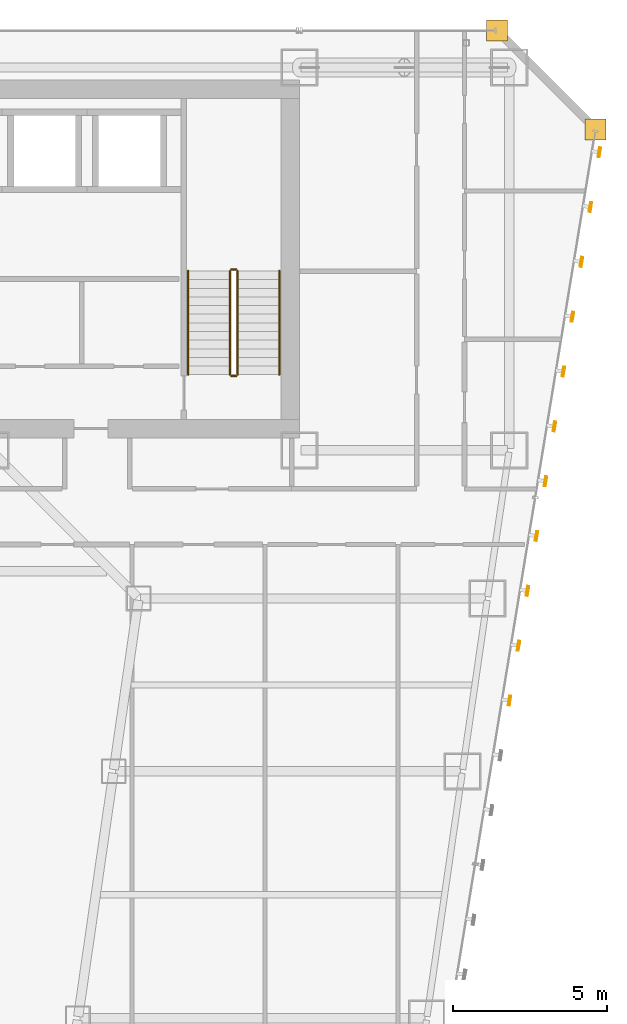
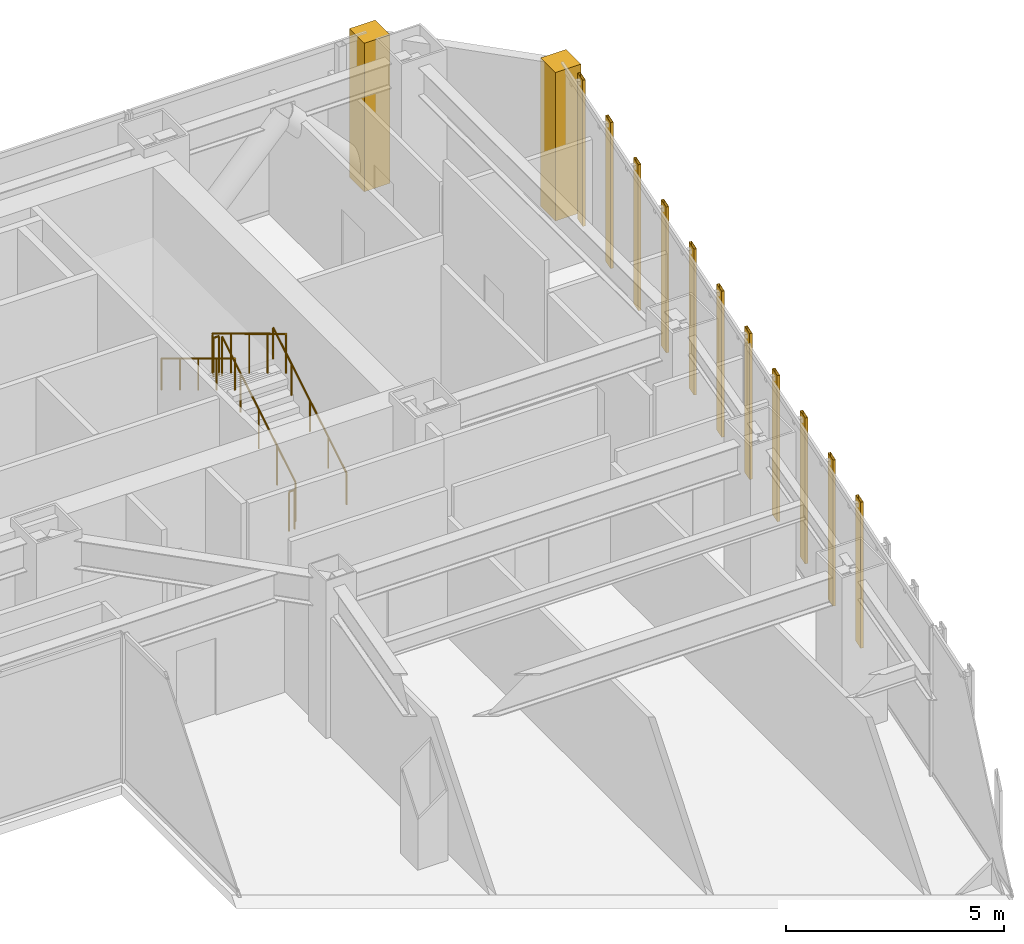
# One storey, part 47 of 47: 11 shading devices, 6 railings, 2 coverings.
"""IFC4 building model written with IfcOpenShell, lengths in metres."""

from ifc_helpers import new_model, si_unit, direction, frame, origin, origin_2d, place, context, subcontext, project, spatial, polyline, hollow_rectangle, circle, outline, extrude, material, layer, layer_set, material_profile, profile_set, type_object, element, save


model = new_model("IFC4")

# Units and contexts
model_context = context("Model", 3, precision=1e-05, world=origin(), true_north=direction((0.0, 1.0)))
body_context = subcontext(model_context, "Body", "Model", "MODEL_VIEW")
ifc_project = project(units=[si_unit("LENGTHUNIT", "METRE"), si_unit("AREAUNIT", "SQUARE_METRE"), si_unit("VOLUMEUNIT", "CUBIC_METRE"), si_unit("PLANEANGLEUNIT", "RADIAN"), si_unit("MASSUNIT", "GRAM", prefix="KILO")], contexts=[model_context])

# Site, building, storey
site_placement = place(None, origin())
site = spatial("IfcSite", under=ifc_project, at=site_placement, CompositionType="ELEMENT")
building_placement = place(site_placement, origin())
building = spatial("IfcBuilding", under=site, at=building_placement, Name="Saevonmaru Cultural Tower", CompositionType="ELEMENT")
storey_placement = place(building_placement, frame((0.0, 0.0, 60.39990234375)))
storey = spatial("IfcBuildingStorey", under=building, at=storey_placement, Name="L12", CompositionType="ELEMENT", Elevation=60.39990234375)

# Coverings
ifc_material_1 = material(Name="Satin Bronze Anodised Aluminium", Category="aluminium")
ifc_layer = layer(ifc_material_1, 0.679931640625, Name="Satin Bronze Anodised Aluminium")
ifc_layer_set = layer_set([ifc_layer], Name="Satin Bronze Anodised Aluminium")
covering_type = type_object("IfcCoveringType", Name="CV-CORNER-CLAD", PredefinedType="CLADDING", material=ifc_layer_set)
covering_1_placement = place(storey_placement, origin())
element("IfcCovering", 1, at=covering_1_placement, inside=storey, type_object=covering_type, Name="L12 Tower Bronze Corner Cladding Pier 9", PredefinedType="CLADDING", context=body_context, shape_type="SweptSolid", body=[
    extrude(outline(polyline([(55.659912109375, 52.4599609375), (56.340087890625, 52.4599609375), (56.340087890625, 53.139892578125), (55.659912109375, 53.139892578125), (55.659912109375, 52.4599609375)])), origin(), (0.0, 0.0, 1.0), 4.150146484375),
])
covering_2_placement = place(storey_placement, origin())
element("IfcCovering", 2, at=covering_2_placement, inside=storey, type_object=covering_type, Name="L12 Tower Bronze Corner Cladding Pier 10", PredefinedType="CLADDING", context=body_context, shape_type="SweptSolid", body=[
    extrude(outline(polyline([(52.4599609375, 55.659912109375), (53.139892578125, 55.659912109375), (53.139892578125, 56.340087890625), (52.4599609375, 56.340087890625), (52.4599609375, 55.659912109375)])), origin(), (0.0, 0.0, 1.0), 4.150146484375),
])

# Railings
ifc_material_2 = material(Name="Architectural Painted Steel", Category="steel")
railing_type_1 = type_object("IfcRailingType", Name="RL-STAIR-GUARD", PredefinedType="GUARDRAIL", material=ifc_material_2)
railing_1_placement = place(storey_placement, frame((44.39990234375, 44.85009765625, 0.16943359375)))
element("IfcRailing", 3, at=railing_1_placement, inside=storey, type_object=railing_type_1, Name="L12 ST-2 stair guard 1", PredefinedType="GUARDRAIL", context=body_context, shape_type="SweptSolid", body=[
    extrude(circle(Radius=0.02392578125, at=origin_2d()), frame((0.0, 0.0, 1.09619140625), z_axis=(0.0, 0.855820338506, 0.51727318527), x_axis=(-1.0, 0.0, 0.0)), (0.0, 0.0, 1.0), 3.92578125),
    extrude(circle(Radius=0.02099609375, at=origin_2d()), origin(), (0.0, 0.0, 1.0), 1.072021484375),
    extrude(circle(Radius=0.02099609375, at=origin_2d()), frame((0.0, 0.83984375, 0.5078125)), (0.0, 0.0, 1.0), 1.072021484375),
    extrude(circle(Radius=0.02099609375, at=origin_2d()), frame((0.0, 1.679931640625, 1.015380859375)), (0.0, 0.0, 1.0), 1.072021484375),
    extrude(circle(Radius=0.02099609375, at=origin_2d()), frame((0.0, 2.52001953125, 1.52294921875)), (0.0, 0.0, 1.0), 1.072021484375),
    extrude(circle(Radius=0.02099609375, at=origin_2d()), frame((0.0, 3.35986328125, 2.03076171875)), (0.0, 0.0, 1.0), 1.072021484375),
])
railing_2_placement = place(storey_placement, frame((44.35009765625, 48.260009765625, 2.2001953125)))
element("IfcRailing", 4, at=railing_2_placement, inside=storey, type_object=railing_type_1, Name="L12 ST-2 stair guard 2", PredefinedType="GUARDRAIL", context=body_context, shape_type="SweptSolid", body=[
    extrude(circle(Radius=0.02392578125, at=origin_2d()), frame((0.0, 0.0, 1.09619140625), z_axis=(-1.0, 0.0, 0.0), x_axis=(0.0, -1.0, 0.0)), (0.0, 0.0, 1.0), 0.150146484375),
    extrude(circle(Radius=0.02099609375, at=origin_2d()), origin(), (0.0, 0.0, 1.0), 1.072021484375),
    extrude(circle(Radius=0.02099609375, at=origin_2d()), frame((-0.150146484375, 0.0, 0.0)), (0.0, 0.0, 1.0), 1.072021484375),
])
railing_3_placement = place(storey_placement, frame((44.14990234375, 48.2099609375, 2.369384765625)))
element("IfcRailing", 5, at=railing_3_placement, inside=storey, type_object=railing_type_1, Name="L12 ST-2 stair guard 3", PredefinedType="GUARDRAIL", context=body_context, shape_type="SweptSolid", body=[
    extrude(circle(Radius=0.02392578125, at=origin_2d()), frame((0.0, 0.0, 1.09619140625), z_axis=(0.0, -0.855820338506, 0.51727318527), x_axis=(1.0, 0.0, 0.0)), (0.0, 0.0, 1.0), 3.92578125),
    extrude(circle(Radius=0.02099609375, at=origin_2d()), origin(), (0.0, 0.0, 1.0), 1.072021484375),
    extrude(circle(Radius=0.02099609375, at=origin_2d()), frame((0.0, -0.83984375, 0.5078125)), (0.0, 0.0, 1.0), 1.072021484375),
    extrude(circle(Radius=0.02099609375, at=origin_2d()), frame((0.0, -1.679931640625, 1.015380859375)), (0.0, 0.0, 1.0), 1.072021484375),
    extrude(circle(Radius=0.02099609375, at=origin_2d()), frame((0.0, -2.52001953125, 1.52294921875)), (0.0, 0.0, 1.0), 1.072021484375),
    extrude(circle(Radius=0.02099609375, at=origin_2d()), frame((0.0, -3.35986328125, 2.03076171875)), (0.0, 0.0, 1.0), 1.072021484375),
])
railing_4_placement = place(storey_placement, frame((44.35009765625, 44.800048828125, 0.0)))
element("IfcRailing", 6, at=railing_4_placement, inside=storey, type_object=railing_type_1, Name="L12 ST-2 stair guard 4", PredefinedType="GUARDRAIL", context=body_context, shape_type="SweptSolid", body=[
    extrude(circle(Radius=0.02392578125, at=origin_2d()), frame((0.0, 0.0, 1.09619140625), z_axis=(-1.0, 0.0, 0.0), x_axis=(0.0, -1.0, 0.0)), (0.0, 0.0, 1.0), 0.150146484375),
    extrude(circle(Radius=0.02099609375, at=origin_2d()), origin(), (0.0, 0.0, 1.0), 1.072021484375),
    extrude(circle(Radius=0.02099609375, at=origin_2d()), frame((-0.150146484375, 0.0, 0.0)), (0.0, 0.0, 1.0), 1.072021484375),
])
railing_type_2 = type_object("IfcRailingType", Name="RL-STAIR-HANDRAIL", PredefinedType="HANDRAIL", material=ifc_material_1)
railing_5_placement = place(storey_placement, frame((45.75, 44.85009765625, 0.16943359375)))
element("IfcRailing", 7, at=railing_5_placement, inside=storey, type_object=railing_type_2, Name="L12 ST-2 stair handrail 1", PredefinedType="HANDRAIL", context=body_context, shape_type="SweptSolid", body=[
    extrude(circle(Radius=0.02392578125, at=origin_2d()), frame((0.0, 0.0, 0.8759765625), z_axis=(0.0, 0.855820338506, 0.51727318527), x_axis=(-1.0, 0.0, 0.0)), (0.0, 0.0, 1.0), 3.92578125),
    extrude(circle(Radius=0.02099609375, at=origin_2d()), origin(), (0.0, 0.0, 1.0), 0.851806640625),
    extrude(circle(Radius=0.02099609375, at=origin_2d()), frame((0.0, 0.83984375, 0.5078125)), (0.0, 0.0, 1.0), 0.851806640625),
    extrude(circle(Radius=0.02099609375, at=origin_2d()), frame((0.0, 1.679931640625, 1.015380859375)), (0.0, 0.0, 1.0), 0.851806640625),
    extrude(circle(Radius=0.02099609375, at=origin_2d()), frame((0.0, 2.52001953125, 1.52294921875)), (0.0, 0.0, 1.0), 0.851806640625),
    extrude(circle(Radius=0.02099609375, at=origin_2d()), frame((0.0, 3.35986328125, 2.03076171875)), (0.0, 0.0, 1.0), 0.851806640625),
])
railing_6_placement = place(storey_placement, frame((42.800048828125, 48.2099609375, 2.369384765625)))
element("IfcRailing", 8, at=railing_6_placement, inside=storey, type_object=railing_type_2, Name="L12 ST-2 stair handrail 2", PredefinedType="HANDRAIL", context=body_context, shape_type="SweptSolid", body=[
    extrude(circle(Radius=0.02392578125, at=origin_2d()), frame((0.0, 0.0, 0.8759765625), z_axis=(0.0, -0.855820338506, 0.51727318527), x_axis=(1.0, 0.0, 0.0)), (0.0, 0.0, 1.0), 3.92578125),
    extrude(circle(Radius=0.02099609375, at=origin_2d()), origin(), (0.0, 0.0, 1.0), 0.851806640625),
    extrude(circle(Radius=0.02099609375, at=origin_2d()), frame((0.0, -0.83984375, 0.5078125)), (0.0, 0.0, 1.0), 0.851806640625),
    extrude(circle(Radius=0.02099609375, at=origin_2d()), frame((0.0, -1.679931640625, 1.015380859375)), (0.0, 0.0, 1.0), 0.851806640625),
    extrude(circle(Radius=0.02099609375, at=origin_2d()), frame((0.0, -2.52001953125, 1.52294921875)), (0.0, 0.0, 1.0), 0.851806640625),
    extrude(circle(Radius=0.02099609375, at=origin_2d()), frame((0.0, -3.35986328125, 2.03076171875)), (0.0, 0.0, 1.0), 0.851806640625),
])

# Shading devices
ifc_material_profile = material_profile(ifc_material_1, hollow_rectangle(XDim=0.070068359375, YDim=0.320068359375, WallThickness=0.0048828125, at=origin_2d()), Name="FIN-320x70")
ifc_profile_set = profile_set([ifc_material_profile], Name="Satin Bronze Anodised Aluminium")
shading_device_type = type_object("IfcShadingDeviceType", Name="SHD-FIN-320", PredefinedType="JALOUSIE", material=ifc_profile_set)
for number, where, z_axis, x_axis, name in (
    (9, (53.210205078125, 34.2900390625, 0.050048828125), (0.0, 0.0, 1.0), (0.986827496189, -0.161776057456, 0.0), "L12 Art Deco Sawtooth Bronze Fin E8-17"),
    (10, (53.501220703125, 36.06640625, 0.050048828125), (0.0, 0.0, 1.0), (0.986827496189, -0.161776057456, 0.0), "L12 Art Deco Sawtooth Bronze Fin E8-18"),
    (11, (53.792236328125, 37.8427734375, 0.050048828125), (0.0, 0.0, 1.0), (0.986827496189, -0.161776057456, 0.0), "L12 Art Deco Sawtooth Bronze Fin E8-19"),
    (12, (54.083251953125, 39.618896484375, 0.050048828125), (0.0, 0.0, 1.0), (0.986827496189, -0.161776057456, 0.0), "L12 Art Deco Sawtooth Bronze Fin E8-20"),
    (13, (54.37451171875, 41.3955078125, 0.050048828125), (0.0, 0.0, 1.0), (0.986827496189, -0.161776057456, 0.0), "L12 Art Deco Sawtooth Bronze Fin E8-21"),
    (14, (54.665283203125, 43.171630859375, 0.050048828125), (0.0, 0.0, 1.0), (0.986827496189, -0.161776057456, 0.0), "L12 Art Deco Sawtooth Bronze Fin E8-22"),
    (15, (54.95654296875, 44.947998046875, 0.050048828125), (0.0, 0.0, 1.0), (0.986827496189, -0.161776057456, 0.0), "L12 Art Deco Sawtooth Bronze Fin E8-23"),
    (16, (55.24755859375, 46.724365234375, 0.050048828125), (0.0, 0.0, 1.0), (0.986827496189, -0.161776057456, 0.0), "L12 Art Deco Sawtooth Bronze Fin E8-24"),
    (17, (55.538818359375, 48.50048828125, 0.050048828125), (0.0, 0.0, 1.0), (0.986827496189, -0.161776057456, 0.0), "L12 Art Deco Sawtooth Bronze Fin E8-25"),
    (18, (55.829833984375, 50.27685546875, 0.050048828125), (0.0, 0.0, 1.0), (0.986827496189, -0.161776057456, 0.0), "L12 Art Deco Sawtooth Bronze Fin E8-26"),
    (19, (56.120849609375, 52.05322265625, 0.050048828125), (0.0, 0.0, 1.0), (0.986827496189, -0.161776057456, 0.0), "L12 Art Deco Sawtooth Bronze Fin E8-27"),
):
    element("IfcShadingDevice", number, at=place(storey_placement, frame(where, z_axis=z_axis, x_axis=x_axis)), inside=storey, type_object=shading_device_type, Name=name, PredefinedType="JALOUSIE", context=body_context, shape_type="SweptSolid", body=[
        extrude(hollow_rectangle(XDim=0.070068359375, YDim=0.320068359375, WallThickness=0.0048828125, at=origin_2d()), origin(), (0.0, 0.0, 1.0), 4.080078125),
    ])

save(model, "model.ifc")
